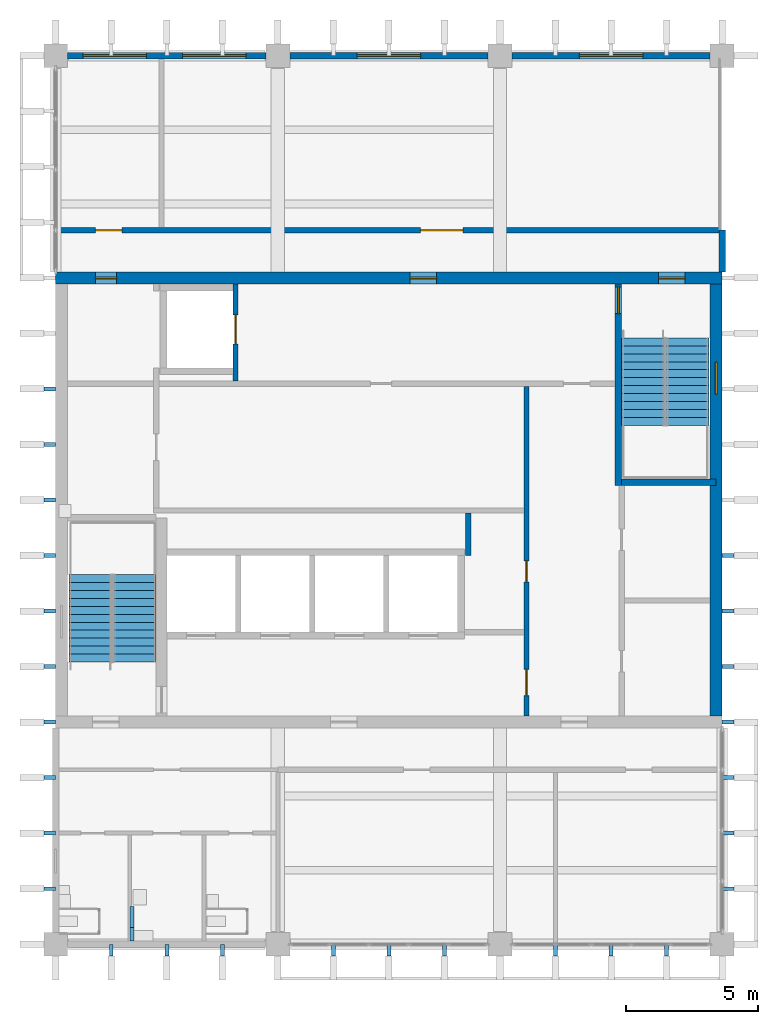
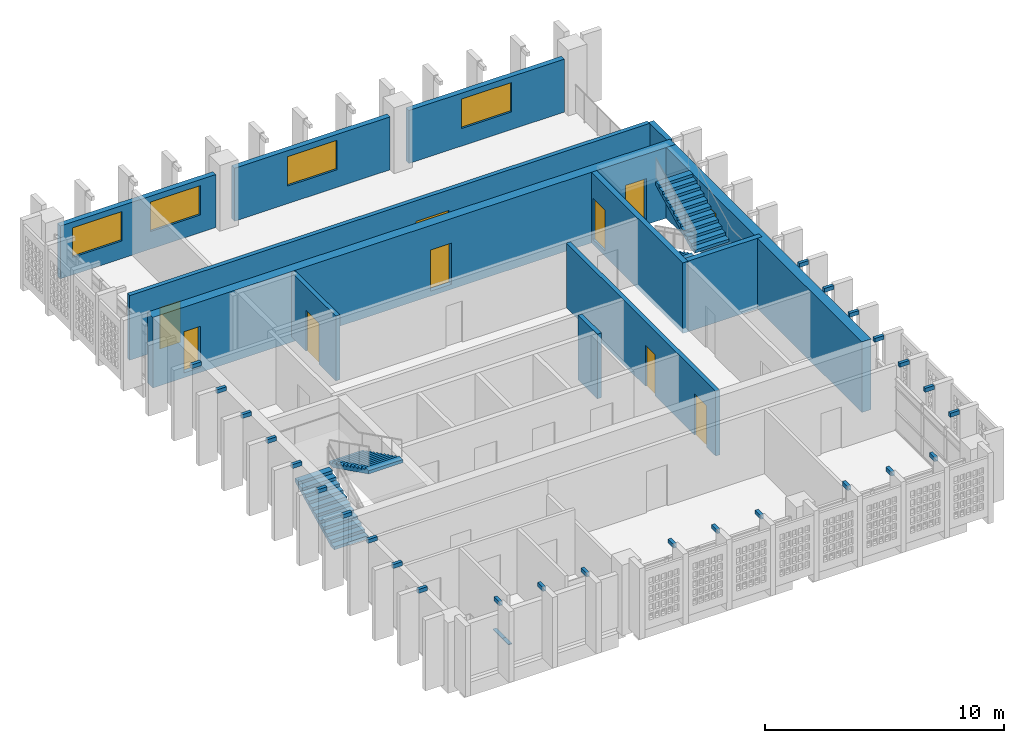
# One storey, part 6 of 13: 28 discrete accessories, 12 walls, 9 doors, 5 windows, 4 stair flights, 14 openings, 2 elements without a shape of their own.
"""IFC4 building model written with IfcOpenShell, lengths in metres."""

from ifc_helpers import new_model, si_unit, direction, frame, frame_2d, origin, origin_2d, place, context, subcontext, project, spatial, polyline, rectangle, outline, extrude, material, layer, layer_set, type_object, element, fill, aggregate, save


model = new_model("IFC4")

# Units and contexts
model_context = context("Model", 3, precision=1e-05, world=origin(), true_north=direction((0.0, 1.0)))
body_context = subcontext(model_context, "Body", "Model", "MODEL_VIEW")
ifc_project = project(units=[si_unit("LENGTHUNIT", "METRE"), si_unit("AREAUNIT", "SQUARE_METRE"), si_unit("VOLUMEUNIT", "CUBIC_METRE"), si_unit("PLANEANGLEUNIT", "RADIAN"), si_unit("MASSUNIT", "GRAM", prefix="KILO")], contexts=[model_context])

# Site, building, storey
site_placement = place(None, origin())
site = spatial("IfcSite", under=ifc_project, at=site_placement, CompositionType="ELEMENT")
building_placement = place(site_placement, origin())
building = spatial("IfcBuilding", under=site, at=building_placement, Name="Rulbaag Community and Learning Centre", CompositionType="ELEMENT")
storey_placement = place(building_placement, frame((0.0, 0.0, 25.199951171875)))
storey = spatial("IfcBuildingStorey", under=building, at=storey_placement, Name="L06", CompositionType="ELEMENT", Elevation=25.199951171875)

# Wall, openings, windows
ifc_material_1 = material(Name="Concrete M40", Category="concrete")
ifc_layer_1 = layer(ifc_material_1, 0.25)
ifc_layer_set_1 = layer_set([ifc_layer_1], Name="EW-CONC250")
wall_type_1 = type_object("IfcWallType", Name="EW-CONC250", PredefinedType="STANDARD", material=ifc_layer_set_1)
wall_1_placement = place(storey_placement, frame((143.25, 117.60009765625, 0.0), z_axis=(0.0, 0.0, 1.0), x_axis=(1.0, 0.0, 0.0)))
wall_1 = element("IfcWall", 1, at=wall_1_placement, inside=storey, type_object=wall_type_1, Name="Board-marked concrete cladding wall BN", PredefinedType="STANDARD", context=body_context, shape_type="SweptSolid", body=[
    extrude(rectangle(XDim=7.5, YDim=0.25, at=frame_2d((3.75, 0.0))), origin(), (0.0, 0.0, 1.0), 2.699951171875),
])
opening_1_placement = place(wall_1_placement, frame((0.574951171875, 0.0, 0.89990234375)))
opening_1 = element("IfcOpeningElement", 2, at=opening_1_placement, cuts=wall_1, Name="Opening WN17", PredefinedType="OPENING", context=body_context, shape_type="SweptSolid", body=[
    extrude(rectangle(XDim=2.39990234375, YDim=1.5, at=frame_2d((1.199951171875, 0.75))), frame((0.0, 0.135009765625, 0.0), z_axis=(0.0, -1.0, 0.0), x_axis=(1.0, 0.0, 0.0)), (0.0, 0.0, 1.0), 0.27001953125),
])
opening_2_placement = place(wall_1_placement, frame((4.35009765625, 0.0, 0.89990234375)))
opening_2 = element("IfcOpeningElement", 3, at=opening_2_placement, cuts=wall_1, Name="Opening WN15", PredefinedType="OPENING", context=body_context, shape_type="SweptSolid", body=[
    extrude(rectangle(XDim=2.39990234375, YDim=1.5, at=frame_2d((1.199951171875, 0.75))), frame((0.0, 0.135009765625, 0.0), z_axis=(0.0, -1.0, 0.0), x_axis=(1.0, 0.0, 0.0)), (0.0, 0.0, 1.0), 0.27001953125),
])
ifc_material_2 = material(Name="Aluminium", Category="aluminium")
window_type_1 = type_object("IfcWindowType", Name="WN-24", PartitioningType="DOUBLE_PANEL_VERTICAL", PredefinedType="WINDOW", material=ifc_material_2)
window_1_placement = place(opening_1_placement, origin())
window_1 = element("IfcWindow", 4, at=window_1_placement, inside=storey, type_object=window_type_1, Name="Window WN17", OverallHeight=1.5, OverallWidth=2.39990234375, PartitioningType="SINGLE_PANEL", PredefinedType="WINDOW", context=body_context, shape_type="SweptSolid", body=[
    extrude(rectangle(XDim=2.39990234375, YDim=1.5, at=frame_2d((1.199951171875, 0.75))), frame((0.0, 0.030029296875, 0.0), z_axis=(0.0, -1.0, 0.0), x_axis=(1.0, 0.0, 0.0)), (0.0, 0.0, 1.0), 0.06005859375),
])
fill(opening_1, window_1)
window_type_2 = type_object("IfcWindowType", Name="WR-24", PartitioningType="DOUBLE_PANEL_VERTICAL", PredefinedType="WINDOW", material=ifc_material_2)
window_2_placement = place(opening_2_placement, origin())
window_2 = element("IfcWindow", 5, at=window_2_placement, inside=storey, type_object=window_type_2, Name="Window WN15", OverallHeight=1.5, OverallWidth=2.39990234375, PartitioningType="SINGLE_PANEL", PredefinedType="WINDOW", context=body_context, shape_type="SweptSolid", body=[
    extrude(rectangle(XDim=2.39990234375, YDim=1.5, at=frame_2d((1.199951171875, 0.75))), frame((0.0, 0.030029296875, 0.0), z_axis=(0.0, -1.0, 0.0), x_axis=(1.0, 0.0, 0.0)), (0.0, 0.0, 1.0), 0.06005859375),
])
fill(opening_2, window_2)

# Wall, opening, window
wall_2_placement = place(storey_placement, frame((151.64990234375, 117.60009765625, 0.0), z_axis=(0.0, 0.0, 1.0), x_axis=(1.0, 0.0, 0.0)))
wall_2 = element("IfcWall", 6, at=wall_2_placement, inside=storey, type_object=wall_type_1, Name="Board-marked concrete cladding wall BN", PredefinedType="STANDARD", context=body_context, shape_type="SweptSolid", body=[
    extrude(rectangle(XDim=7.5, YDim=0.25, at=frame_2d((3.75, 0.0))), origin(), (0.0, 0.0, 1.0), 2.699951171875),
])
opening_3_placement = place(wall_2_placement, frame((2.550048828125, 0.0, 0.89990234375)))
opening_3 = element("IfcOpeningElement", 7, at=opening_3_placement, cuts=wall_2, Name="Opening WN15", PredefinedType="OPENING", context=body_context, shape_type="SweptSolid", body=[
    extrude(rectangle(XDim=2.39990234375, YDim=1.5, at=frame_2d((1.199951171875, 0.75))), frame((0.0, 0.135009765625, 0.0), z_axis=(0.0, -1.0, 0.0), x_axis=(1.0, 0.0, 0.0)), (0.0, 0.0, 1.0), 0.27001953125),
])
window_3_placement = place(opening_3_placement, origin())
window_3 = element("IfcWindow", 8, at=window_3_placement, inside=storey, type_object=window_type_2, Name="Window WN15", OverallHeight=1.5, OverallWidth=2.39990234375, PartitioningType="SINGLE_PANEL", PredefinedType="WINDOW", context=body_context, shape_type="SweptSolid", body=[
    extrude(rectangle(XDim=2.39990234375, YDim=1.5, at=frame_2d((1.199951171875, 0.75))), frame((0.0, 0.030029296875, 0.0), z_axis=(0.0, -1.0, 0.0), x_axis=(1.0, 0.0, 0.0)), (0.0, 0.0, 1.0), 0.06005859375),
])
fill(opening_3, window_3)

wall_3_placement = place(storey_placement, frame((160.050048828125, 117.60009765625, 0.0), z_axis=(0.0, 0.0, 1.0), x_axis=(1.0, 0.0, 0.0)))
wall_3 = element("IfcWall", 9, at=wall_3_placement, inside=storey, type_object=wall_type_1, Name="Board-marked concrete cladding wall BN", PredefinedType="STANDARD", context=body_context, shape_type="SweptSolid", body=[
    extrude(rectangle(XDim=7.5, YDim=0.25, at=frame_2d((3.75, 0.0))), origin(), (0.0, 0.0, 1.0), 2.699951171875),
])
opening_4_placement = place(wall_3_placement, frame((2.550048828125, 0.0, 0.89990234375)))
opening_4 = element("IfcOpeningElement", 10, at=opening_4_placement, cuts=wall_3, Name="Opening WN15", PredefinedType="OPENING", context=body_context, shape_type="SweptSolid", body=[
    extrude(rectangle(XDim=2.39990234375, YDim=1.5, at=frame_2d((1.199951171875, 0.75))), frame((0.0, 0.135009765625, 0.0), z_axis=(0.0, -1.0, 0.0), x_axis=(1.0, 0.0, 0.0)), (0.0, 0.0, 1.0), 0.27001953125),
])
window_4_placement = place(opening_4_placement, origin())
window_4 = element("IfcWindow", 11, at=window_4_placement, inside=storey, type_object=window_type_2, Name="Window WN15", OverallHeight=1.5, OverallWidth=2.39990234375, PartitioningType="SINGLE_PANEL", PredefinedType="WINDOW", context=body_context, shape_type="SweptSolid", body=[
    extrude(rectangle(XDim=2.39990234375, YDim=1.5, at=frame_2d((1.199951171875, 0.75))), frame((0.0, 0.030029296875, 0.0), z_axis=(0.0, -1.0, 0.0), x_axis=(1.0, 0.0, 0.0)), (0.0, 0.0, 1.0), 0.06005859375),
])
fill(opening_4, window_4)

# Wall
wall_4_placement = place(storey_placement, frame((168.0, 109.425048828125, 0.0), z_axis=(0.0, 0.0, 1.0), x_axis=(0.0, 1.0, 0.0)))
element("IfcWall", 12, at=wall_4_placement, inside=storey, type_object=wall_type_1, Name="Board-marked concrete cladding wall BE", PredefinedType="STANDARD", context=body_context, shape_type="SweptSolid", body=[
    extrude(rectangle(XDim=1.574951171875, YDim=0.25, at=frame_2d((0.78759765625, 0.0))), origin(), (0.0, 0.0, 1.0), 3.300048828125),
])

# Wall, openings, doors
ifc_material_3 = material(Name="Concrete blockwork", Category="masonry")
ifc_layer_2 = layer(ifc_material_3, 0.199951171875)
ifc_layer_set_2 = layer_set([ifc_layer_2], Name="FW-200 FIRE WALL 200")
wall_type_2 = type_object("IfcWallType", Name="FW-200 FIRE WALL 200", PredefinedType="SOLIDWALL", material=ifc_layer_set_2)
wall_5_placement = place(storey_placement, frame((142.800048828125, 111.0, 0.0), z_axis=(0.0, 0.0, 1.0), x_axis=(1.0, 0.0, 0.0)))
wall_5 = element("IfcWall", 13, at=wall_5_placement, inside=storey, type_object=wall_type_2, Name="Fire wall L06 10", PredefinedType="SOLIDWALL", context=body_context, shape_type="SweptSolid", body=[
    extrude(rectangle(XDim=25.074951171875, YDim=0.199951171875, at=frame_2d((12.53759765625, 0.0))), origin(), (0.0, 0.0, 1.0), 3.300048828125),
])
opening_5_placement = place(wall_5_placement, frame((1.5, 0.0, 0.0)))
opening_5 = element("IfcOpeningElement", 14, at=opening_5_placement, cuts=wall_5, Name="Opening L06-D005", PredefinedType="OPENING", context=body_context, shape_type="SweptSolid", body=[
    extrude(rectangle(XDim=1.0, YDim=2.10009765625, at=frame_2d((0.5, 1.050048828125))), frame((0.0, 0.10986328125, 0.0), z_axis=(0.0, -1.0, 0.0), x_axis=(1.0, 0.0, 0.0)), (0.0, 0.0, 1.0), 0.219970703125),
])
opening_6_placement = place(wall_5_placement, frame((13.800048828125, 0.0, 0.0)))
opening_6 = element("IfcOpeningElement", 15, at=opening_6_placement, cuts=wall_5, Name="Opening L06-D021", PredefinedType="OPENING", context=body_context, shape_type="SweptSolid", body=[
    extrude(rectangle(XDim=1.60009765625, YDim=2.25, at=frame_2d((0.800048828125, 1.125))), frame((0.0, 0.10986328125, 0.0), z_axis=(0.0, -1.0, 0.0), x_axis=(1.0, 0.0, 0.0)), (0.0, 0.0, 1.0), 0.219970703125),
])
ifc_material_4 = material(Name="Galvanised steel", Category="steel")
door_type_1 = type_object("IfcDoorType", Name="FD-1000 FIRE DOOR 1000 x 2100", OperationType="SINGLE_SWING_LEFT", PredefinedType="DOOR", material=ifc_material_4)
door_1_placement = place(opening_5_placement, origin())
door_1 = element("IfcDoor", 16, at=door_1_placement, inside=storey, type_object=door_type_1, Name="Door L06-D005", OperationType="SINGLE_SWING_RIGHT", OverallHeight=2.10009765625, OverallWidth=1.0, PredefinedType="DOOR", context=body_context, shape_type="SweptSolid", body=[
    extrude(rectangle(XDim=1.0, YDim=2.10009765625, at=frame_2d((0.5, 1.050048828125))), frame((0.0, 0.02490234375, 0.0), z_axis=(0.0, -1.0, 0.0), x_axis=(1.0, 0.0, 0.0)), (0.0, 0.0, 1.0), 0.050048828125),
])
fill(opening_5, door_1)
ifc_material_5 = material(Name="Timber", Category="wood")
door_type_2 = type_object("IfcDoorType", Name="FD-1600 REFUGE AREA DOUBLE FIRE DOOR 1600 x 2250", OperationType="DOUBLE_DOOR_SINGLE_SWING", PredefinedType="DOOR", material=ifc_material_5)
door_2_placement = place(opening_6_placement, origin())
door_2 = element("IfcDoor", 17, at=door_2_placement, inside=storey, type_object=door_type_2, Name="Door L06-D021", OperationType="DOUBLE_DOOR_SINGLE_SWING", OverallHeight=2.25, OverallWidth=1.60009765625, PredefinedType="DOOR", context=body_context, shape_type="SweptSolid", body=[
    extrude(rectangle(XDim=1.60009765625, YDim=2.25, at=frame_2d((0.800048828125, 1.125))), frame((0.0, 0.02490234375, 0.0), z_axis=(0.0, -1.0, 0.0), x_axis=(1.0, 0.0, 0.0)), (0.0, 0.0, 1.0), 0.050048828125),
])
fill(opening_6, door_2)

# Wall, opening, door
wall_6_placement = place(storey_placement, frame((149.60009765625, 105.300048828125, 0.0), z_axis=(0.0, 0.0, 1.0), x_axis=(0.0, 1.0, 0.0)))
wall_6 = element("IfcWall", 18, at=wall_6_placement, inside=storey, type_object=wall_type_2, Name="Fire wall L06 16", PredefinedType="SOLIDWALL", context=body_context, shape_type="SweptSolid", body=[
    extrude(rectangle(XDim=3.675048828125, YDim=0.199951171875, at=frame_2d((1.83740234375, 0.0))), origin(), (0.0, 0.0, 1.0), 3.300048828125),
])
opening_7_placement = place(wall_6_placement, frame((1.39990234375, 0.0, 0.0)))
opening_7 = element("IfcOpeningElement", 19, at=opening_7_placement, cuts=wall_6, Name="Opening L06-D011", PredefinedType="OPENING", context=body_context, shape_type="SweptSolid", body=[
    extrude(rectangle(XDim=1.10009765625, YDim=2.10009765625, at=frame_2d((0.550048828125, 1.050048828125))), frame((0.0, 0.10986328125, 0.0), z_axis=(0.0, -1.0, 0.0), x_axis=(1.0, 0.0, 0.0)), (0.0, 0.0, 1.0), 0.219970703125),
])
ifc_material_6 = material(Name="Stainless steel grade 304", Category="steel")
door_type_3 = type_object("IfcDoorType", Name="LD-1100 LIFT LANDING DOOR 1100 x 2100", OperationType="SLIDING_TO_LEFT", PredefinedType="DOOR", material=ifc_material_6)
door_3_placement = place(opening_7_placement, origin())
door_3 = element("IfcDoor", 20, at=door_3_placement, inside=storey, type_object=door_type_3, Name="Lift landing door LF1 L06", OperationType="SLIDING_TO_LEFT", OverallHeight=2.10009765625, OverallWidth=1.10009765625, PredefinedType="DOOR", context=body_context, shape_type="SweptSolid", body=[
    extrude(rectangle(XDim=1.10009765625, YDim=2.10009765625, at=frame_2d((0.550048828125, 1.050048828125))), frame((0.0, 0.02490234375, 0.0), z_axis=(0.0, -1.0, 0.0), x_axis=(1.0, 0.0, 0.0)), (0.0, 0.0, 1.0), 0.050048828125),
])
fill(opening_7, door_3)

# Wall
wall_7_placement = place(storey_placement, frame((158.39990234375, 98.699951171875, 0.0), z_axis=(0.0, 0.0, 1.0), x_axis=(0.0, 1.0, 0.0)))
element("IfcWall", 21, at=wall_7_placement, inside=storey, type_object=wall_type_2, Name="Fire wall L06 18", PredefinedType="SOLIDWALL", context=body_context, shape_type="SweptSolid", body=[
    extrude(rectangle(XDim=1.60009765625, YDim=0.199951171875, at=frame_2d((0.800048828125, 0.0))), origin(), (0.0, 0.0, 1.0), 3.300048828125),
])

# Wall, openings, doors
wall_8_placement = place(storey_placement, frame((160.60009765625, 92.625, 0.0), z_axis=(0.0, 0.0, 1.0), x_axis=(0.0, 1.0, 0.0)))
wall_8 = element("IfcWall", 22, at=wall_8_placement, inside=storey, type_object=wall_type_2, Name="Fire wall L06 19", PredefinedType="SOLIDWALL", context=body_context, shape_type="SweptSolid", body=[
    extrude(rectangle(XDim=12.47509765625, YDim=0.199951171875, at=frame_2d((6.237548828125, 0.0))), origin(), (0.0, 0.0, 1.0), 3.300048828125),
])
opening_8_placement = place(wall_8_placement, frame((5.074951171875, 0.0, 0.0)))
opening_8 = element("IfcOpeningElement", 23, at=opening_8_placement, cuts=wall_8, Name="Opening L06-D023", PredefinedType="OPENING", context=body_context, shape_type="SweptSolid", body=[
    extrude(rectangle(XDim=0.800048828125, YDim=2.10009765625, at=frame_2d((0.39990234375, 1.050048828125))), frame((0.0, 0.10986328125, 0.0), z_axis=(0.0, -1.0, 0.0), x_axis=(1.0, 0.0, 0.0)), (0.0, 0.0, 1.0), 0.219970703125),
])
opening_9_placement = place(wall_8_placement, frame((0.77490234375, 0.0, 0.0)))
opening_9 = element("IfcOpeningElement", 24, at=opening_9_placement, cuts=wall_8, Name="Opening L06-D022", PredefinedType="OPENING", context=body_context, shape_type="SweptSolid", body=[
    extrude(rectangle(XDim=1.0, YDim=2.10009765625, at=frame_2d((0.5, 1.050048828125))), frame((0.0, 0.10986328125, 0.0), z_axis=(0.0, -1.0, 0.0), x_axis=(1.0, 0.0, 0.0)), (0.0, 0.0, 1.0), 0.219970703125),
])
door_4_placement = place(opening_9_placement, origin())
door_4 = element("IfcDoor", 25, at=door_4_placement, inside=storey, type_object=door_type_1, Name="Door L06-D022", OperationType="SINGLE_SWING_LEFT", OverallHeight=2.10009765625, OverallWidth=1.0, PredefinedType="DOOR", context=body_context, shape_type="SweptSolid", body=[
    extrude(rectangle(XDim=1.0, YDim=2.10009765625, at=frame_2d((0.5, 1.050048828125))), frame((0.0, 0.02490234375, 0.0), z_axis=(0.0, -1.0, 0.0), x_axis=(1.0, 0.0, 0.0)), (0.0, 0.0, 1.0), 0.050048828125),
])
fill(opening_9, door_4)
door_type_4 = type_object("IfcDoorType", Name="FDR-800 RISER FIRE DOOR 800 x 2100", OperationType="SINGLE_SWING_LEFT", PredefinedType="DOOR", material=ifc_material_4)
door_5_placement = place(opening_8_placement, origin())
door_5 = element("IfcDoor", 26, at=door_5_placement, inside=storey, type_object=door_type_4, Name="Riser door L06-D019", OperationType="SINGLE_SWING_RIGHT", OverallHeight=2.10009765625, OverallWidth=0.800048828125, PredefinedType="DOOR", context=body_context, shape_type="SweptSolid", body=[
    extrude(rectangle(XDim=0.800048828125, YDim=2.10009765625, at=frame_2d((0.39990234375, 1.050048828125))), frame((0.0, 0.02490234375, 0.0), z_axis=(0.0, -1.0, 0.0), x_axis=(1.0, 0.0, 0.0)), (0.0, 0.0, 1.0), 0.050048828125),
])
fill(opening_8, door_5)

ifc_material_7 = material(Name="Concrete M60", Category="concrete")
ifc_layer_3 = layer(ifc_material_7, 0.449951171875)
ifc_layer_set_3 = layer_set([ifc_layer_3], Name="W1 Core wall 450 Concrete M60")
wall_type_3 = type_object("IfcWallType", Name="W1 Core wall 450 Concrete M60", PredefinedType="SHEAR", material=ifc_layer_set_3)
wall_9_placement = place(storey_placement, frame((142.800048828125, 109.199951171875, -0.25), z_axis=(0.0, 0.0, 1.0), x_axis=(1.0, 0.0, 0.0)))
wall_9 = element("IfcWall", 27, at=wall_9_placement, inside=storey, type_object=wall_type_3, Name="WL-CORE-N-L06", PredefinedType="SHEAR", context=body_context, shape_type="SweptSolid", body=[
    extrude(rectangle(XDim=25.199951171875, YDim=0.449951171875, at=frame_2d((12.60009765625, 0.0))), origin(), (0.0, 0.0, 1.0), 3.60009765625),
])
opening_10_placement = place(wall_9_placement, frame((22.800048828125, 0.0, 0.25)))
opening_10 = element("IfcOpeningElement", 28, at=opening_10_placement, cuts=wall_9, Name="Opening L06-D030", PredefinedType="OPENING", context=body_context, shape_type="SweptSolid", body=[
    extrude(rectangle(XDim=1.0, YDim=2.10009765625, at=frame_2d((0.5, 1.050048828125))), frame((0.0, 0.23486328125, 0.0), z_axis=(0.0, -1.0, 0.0), x_axis=(1.0, 0.0, 0.0)), (0.0, 0.0, 1.0), 0.469970703125),
])
opening_11_placement = place(wall_9_placement, frame((1.5, 0.0, 0.25)))
opening_11 = element("IfcOpeningElement", 29, at=opening_11_placement, cuts=wall_9, Name="Opening L06-D004", PredefinedType="OPENING", context=body_context, shape_type="SweptSolid", body=[
    extrude(rectangle(XDim=0.800048828125, YDim=2.10009765625, at=frame_2d((0.39990234375, 1.050048828125))), frame((0.0, 0.23486328125, 0.0), z_axis=(0.0, -1.0, 0.0), x_axis=(1.0, 0.0, 0.0)), (0.0, 0.0, 1.0), 0.469970703125),
])
opening_12_placement = place(wall_9_placement, frame((13.39990234375, 0.0, 0.25)))
opening_12 = element("IfcOpeningElement", 30, at=opening_12_placement, cuts=wall_9, Name="Opening L06-D020", PredefinedType="OPENING", context=body_context, shape_type="SweptSolid", body=[
    extrude(rectangle(XDim=1.0, YDim=2.10009765625, at=frame_2d((0.5, 1.050048828125))), frame((0.0, 0.23486328125, 0.0), z_axis=(0.0, -1.0, 0.0), x_axis=(1.0, 0.0, 0.0)), (0.0, 0.0, 1.0), 0.469970703125),
])
door_6_placement = place(opening_10_placement, origin())
door_6 = element("IfcDoor", 31, at=door_6_placement, inside=storey, type_object=door_type_1, Name="Door L06-D030", OperationType="SINGLE_SWING_LEFT", OverallHeight=2.10009765625, OverallWidth=1.0, PredefinedType="DOOR", context=body_context, shape_type="SweptSolid", body=[
    extrude(rectangle(XDim=1.0, YDim=2.10009765625, at=frame_2d((0.5, 1.050048828125))), frame((0.0, 0.02490234375, 0.0), z_axis=(0.0, -1.0, 0.0), x_axis=(1.0, 0.0, 0.0)), (0.0, 0.0, 1.0), 0.050048828125),
])
fill(opening_10, door_6)
door_7_placement = place(opening_12_placement, origin())
door_7 = element("IfcDoor", 32, at=door_7_placement, inside=storey, type_object=door_type_1, Name="Door L06-D020", OperationType="SINGLE_SWING_LEFT", OverallHeight=2.10009765625, OverallWidth=1.0, PredefinedType="DOOR", context=body_context, shape_type="SweptSolid", body=[
    extrude(rectangle(XDim=1.0, YDim=2.10009765625, at=frame_2d((0.5, 1.050048828125))), frame((0.0, 0.02490234375, 0.0), z_axis=(0.0, -1.0, 0.0), x_axis=(1.0, 0.0, 0.0)), (0.0, 0.0, 1.0), 0.050048828125),
])
fill(opening_12, door_7)
door_8_placement = place(opening_11_placement, origin())
door_8 = element("IfcDoor", 33, at=door_8_placement, inside=storey, type_object=door_type_4, Name="Riser door L06-D022", OperationType="SINGLE_SWING_LEFT", OverallHeight=2.10009765625, OverallWidth=0.800048828125, PredefinedType="DOOR", context=body_context, shape_type="SweptSolid", body=[
    extrude(rectangle(XDim=0.800048828125, YDim=2.10009765625, at=frame_2d((0.39990234375, 1.050048828125))), frame((0.0, 0.02490234375, 0.0), z_axis=(0.0, -1.0, 0.0), x_axis=(1.0, 0.0, 0.0)), (0.0, 0.0, 1.0), 0.050048828125),
])
fill(opening_11, door_8)

# Wall, opening, window
wall_10_placement = place(storey_placement, frame((167.77490234375, 92.625, -0.25), z_axis=(0.0, 0.0, 1.0), x_axis=(0.0, 1.0, 0.0)))
wall_10 = element("IfcWall", 34, at=wall_10_placement, inside=storey, type_object=wall_type_3, Name="WL-CORE-E-L06", PredefinedType="SHEAR", context=body_context, shape_type="SweptSolid", body=[
    extrude(rectangle(XDim=16.35009765625, YDim=0.449951171875, at=frame_2d((8.175048828125, 0.0))), origin(), (0.0, 0.0, 1.0), 3.60009765625),
])
opening_13_placement = place(wall_10_placement, frame((12.175048828125, 0.0, 1.85009765625)))
opening_13 = element("IfcOpeningElement", 35, at=opening_13_placement, cuts=wall_10, Name="Opening WN19", PredefinedType="OPENING", context=body_context, shape_type="SweptSolid", body=[
    extrude(rectangle(XDim=1.199951171875, YDim=0.89990234375, at=frame_2d((0.60009765625, 0.449951171875))), frame((0.0, 0.23486328125, 0.0), z_axis=(0.0, -1.0, 0.0), x_axis=(1.0, 0.0, 0.0)), (0.0, 0.0, 1.0), 0.469970703125),
])
window_type_3 = type_object("IfcWindowType", Name="WS-12", PartitioningType="SINGLE_PANEL", PredefinedType="WINDOW", material=ifc_material_2)
window_5_placement = place(opening_13_placement, origin())
window_5 = element("IfcWindow", 36, at=window_5_placement, inside=storey, type_object=window_type_3, Name="Stair window", OverallHeight=0.89990234375, OverallWidth=1.199951171875, PartitioningType="SINGLE_PANEL", PredefinedType="WINDOW", context=body_context, shape_type="SweptSolid", body=[
    extrude(rectangle(XDim=1.199951171875, YDim=0.89990234375, at=frame_2d((0.60009765625, 0.449951171875))), frame((0.0, 0.030029296875, 0.0), z_axis=(0.0, -1.0, 0.0), x_axis=(1.0, 0.0, 0.0)), (0.0, 0.0, 1.0), 0.06005859375),
])
fill(opening_13, window_5)

# Wall, opening, door
ifc_layer_4 = layer(ifc_material_1, 0.25)
ifc_layer_set_4 = layer_set([ifc_layer_4], Name="W5 Shaft wall 250 Concrete M40")
wall_type_4 = type_object("IfcWallType", Name="W5 Shaft wall 250 Concrete M40", PredefinedType="SHEAR", material=ifc_layer_set_4)
wall_11_placement = place(storey_placement, frame((164.074951171875, 101.35009765625, -0.25), z_axis=(0.0, 0.0, 1.0), x_axis=(0.0, 1.0, 0.0)))
wall_11 = element("IfcWall", 37, at=wall_11_placement, inside=storey, type_object=wall_type_4, Name="WL-ST2-W-L06", PredefinedType="SHEAR", context=body_context, shape_type="SweptSolid", body=[
    extrude(rectangle(XDim=7.625, YDim=0.25, at=frame_2d((3.8125, 0.0))), origin(), (0.0, 0.0, 1.0), 3.60009765625),
])
opening_14_placement = place(wall_11_placement, frame((6.5, 0.0, 0.25)))
opening_14 = element("IfcOpeningElement", 38, at=opening_14_placement, cuts=wall_11, Name="Opening L06-D026", PredefinedType="OPENING", context=body_context, shape_type="SweptSolid", body=[
    extrude(rectangle(XDim=1.0, YDim=2.10009765625, at=frame_2d((0.5, 1.050048828125))), frame((0.0, 0.135009765625, 0.0), z_axis=(0.0, -1.0, 0.0), x_axis=(1.0, 0.0, 0.0)), (0.0, 0.0, 1.0), 0.27001953125),
])
door_9_placement = place(opening_14_placement, origin())
door_9 = element("IfcDoor", 39, at=door_9_placement, inside=storey, type_object=door_type_1, Name="Door L06-D026", OperationType="SINGLE_SWING_LEFT", OverallHeight=2.10009765625, OverallWidth=1.0, PredefinedType="DOOR", context=body_context, shape_type="SweptSolid", body=[
    extrude(rectangle(XDim=1.0, YDim=2.10009765625, at=frame_2d((0.5, 1.050048828125))), frame((0.0, 0.02490234375, 0.0), z_axis=(0.0, -1.0, 0.0), x_axis=(1.0, 0.0, 0.0)), (0.0, 0.0, 1.0), 0.050048828125),
])
fill(opening_14, door_9)

# Wall
wall_12_placement = place(storey_placement, frame((164.199951171875, 101.47509765625, -0.25), z_axis=(0.0, 0.0, 1.0), x_axis=(1.0, 0.0, 0.0)))
element("IfcWall", 40, at=wall_12_placement, inside=storey, type_object=wall_type_4, Name="WL-ST2-S-L06", PredefinedType="SHEAR", context=body_context, shape_type="SweptSolid", body=[
    extrude(rectangle(XDim=3.574951171875, YDim=0.25, at=frame_2d((1.78759765625, 0.0))), origin(), (0.0, 0.0, 1.0), 3.60009765625),
])

# Stair, stair flights
stair_type = type_object("IfcStairType", Name="ST-1650 STAIR 1650 WIDE", PredefinedType="HALF_TURN_STAIR", material=ifc_material_1)
stair_1_placement = place(storey_placement, origin())
stair_1 = element("IfcStair", 41, at=stair_1_placement, inside=storey, type_object=stair_type, Name="Stair ST1 L06", PredefinedType="HALF_TURN_STAIR")
stair_flight_type = type_object("IfcStairFlightType", Name="FL-1650 FLIGHT 1650 WIDE Concrete M40", PredefinedType="STRAIGHT", material=ifc_material_1)
stair_flight_1_placement = place(storey_placement, frame((144.125, 94.675048828125, 0.0), z_axis=(0.0, 0.0, 1.0), x_axis=(0.0, 1.0, 0.0)))
stair_flight_1 = element("IfcStairFlight", 42, at=stair_flight_1_placement, type_object=stair_flight_type, Name="ST1 flight 1", NumberOfRisers=12, NumberOfTreads=11, PredefinedType="STRAIGHT", RiserHeight=0.15, TreadLength=0.3, context=body_context, shape_type="SweptSolid", body=[
    extrude(outline(polyline([(0.0, 0.0), (0.0, 0.14990234375), (0.300048828125, 0.14990234375), (0.300048828125, 0.300048828125), (0.60009765625, 0.300048828125), (0.60009765625, 0.449951171875), (0.89990234375, 0.449951171875), (0.89990234375, 0.60009765625), (1.199951171875, 0.60009765625), (1.199951171875, 0.75), (1.5, 0.75), (1.5, 0.89990234375), (1.800048828125, 0.89990234375), (1.800048828125, 1.050048828125), (2.10009765625, 1.050048828125), (2.10009765625, 1.199951171875), (2.39990234375, 1.199951171875), (2.39990234375, 1.35009765625), (2.699951171875, 1.35009765625), (2.699951171875, 1.5), (3.0, 1.5), (3.0, 1.64990234375), (3.300048828125, 1.64990234375), (3.300048828125, 1.49365234375), (0.312744140625, 0.0), (0.0, 0.0)])), frame((0.0, 0.824951171875, 0.0), z_axis=(0.0, -1.0, 0.0), x_axis=(1.0, 0.0, 0.0)), (0.0, 0.0, 1.0), 1.64990234375),
])
stair_flight_2_placement = place(storey_placement, frame((145.77490234375, 97.97509765625, 1.800048828125), z_axis=(0.0, 0.0, 1.0), x_axis=(0.0, -1.0, 0.0)))
stair_flight_2 = element("IfcStairFlight", 43, at=stair_flight_2_placement, type_object=stair_flight_type, Name="ST1 flight 2", NumberOfRisers=12, NumberOfTreads=11, PredefinedType="STRAIGHT", RiserHeight=0.15, TreadLength=0.3, context=body_context, shape_type="SweptSolid", body=[
    extrude(outline(polyline([(0.0, 0.0), (0.0, 0.14990234375), (0.300048828125, 0.14990234375), (0.300048828125, 0.300048828125), (0.60009765625, 0.300048828125), (0.60009765625, 0.449951171875), (0.89990234375, 0.449951171875), (0.89990234375, 0.60009765625), (1.199951171875, 0.60009765625), (1.199951171875, 0.75), (1.5, 0.75), (1.5, 0.89990234375), (1.800048828125, 0.89990234375), (1.800048828125, 1.050048828125), (2.10009765625, 1.050048828125), (2.10009765625, 1.199951171875), (2.39990234375, 1.199951171875), (2.39990234375, 1.35009765625), (2.699951171875, 1.35009765625), (2.699951171875, 1.5), (3.0, 1.5), (3.0, 1.64990234375), (3.300048828125, 1.64990234375), (3.300048828125, 1.49365234375), (0.312744140625, 0.0), (0.0, 0.0)])), frame((0.0, 0.824951171875, 0.0), z_axis=(0.0, -1.0, 0.0), x_axis=(1.0, 0.0, 0.0)), (0.0, 0.0, 1.0), 1.64990234375),
])
aggregate(stair_1, [stair_flight_1, stair_flight_2])

stair_2_placement = place(storey_placement, origin())
stair_2 = element("IfcStair", 44, at=stair_2_placement, inside=storey, type_object=stair_type, Name="Stair ST2 L06", PredefinedType="HALF_TURN_STAIR")
stair_flight_3_placement = place(storey_placement, frame((165.02490234375, 106.925048828125, 0.0), z_axis=(0.0, 0.0, 1.0), x_axis=(0.0, -1.0, 0.0)))
stair_flight_3 = element("IfcStairFlight", 45, at=stair_flight_3_placement, type_object=stair_flight_type, Name="ST2 flight 1", NumberOfRisers=12, NumberOfTreads=11, PredefinedType="STRAIGHT", RiserHeight=0.15, TreadLength=0.3, context=body_context, shape_type="SweptSolid", body=[
    extrude(outline(polyline([(0.0, 0.0), (0.0, 0.14990234375), (0.300048828125, 0.14990234375), (0.300048828125, 0.300048828125), (0.60009765625, 0.300048828125), (0.60009765625, 0.449951171875), (0.89990234375, 0.449951171875), (0.89990234375, 0.60009765625), (1.199951171875, 0.60009765625), (1.199951171875, 0.75), (1.5, 0.75), (1.5, 0.89990234375), (1.800048828125, 0.89990234375), (1.800048828125, 1.050048828125), (2.10009765625, 1.050048828125), (2.10009765625, 1.199951171875), (2.39990234375, 1.199951171875), (2.39990234375, 1.35009765625), (2.699951171875, 1.35009765625), (2.699951171875, 1.5), (3.0, 1.5), (3.0, 1.64990234375), (3.300048828125, 1.64990234375), (3.300048828125, 1.49365234375), (0.312744140625, 0.0), (0.0, 0.0)])), frame((0.0, 0.824951171875, 0.0), z_axis=(0.0, -1.0, 0.0), x_axis=(1.0, 0.0, 0.0)), (0.0, 0.0, 1.0), 1.64990234375),
])
stair_flight_4_placement = place(storey_placement, frame((166.675048828125, 103.625, 1.800048828125), z_axis=(0.0, 0.0, 1.0), x_axis=(0.0, 1.0, 0.0)))
stair_flight_4 = element("IfcStairFlight", 46, at=stair_flight_4_placement, type_object=stair_flight_type, Name="ST2 flight 2", NumberOfRisers=12, NumberOfTreads=11, PredefinedType="STRAIGHT", RiserHeight=0.15, TreadLength=0.3, context=body_context, shape_type="SweptSolid", body=[
    extrude(outline(polyline([(0.0, 0.0), (0.0, 0.14990234375), (0.300048828125, 0.14990234375), (0.300048828125, 0.300048828125), (0.60009765625, 0.300048828125), (0.60009765625, 0.449951171875), (0.89990234375, 0.449951171875), (0.89990234375, 0.60009765625), (1.199951171875, 0.60009765625), (1.199951171875, 0.75), (1.5, 0.75), (1.5, 0.89990234375), (1.800048828125, 0.89990234375), (1.800048828125, 1.050048828125), (2.10009765625, 1.050048828125), (2.10009765625, 1.199951171875), (2.39990234375, 1.199951171875), (2.39990234375, 1.35009765625), (2.699951171875, 1.35009765625), (2.699951171875, 1.5), (3.0, 1.5), (3.0, 1.64990234375), (3.300048828125, 1.64990234375), (3.300048828125, 1.49365234375), (0.312744140625, 0.0), (0.0, 0.0)])), frame((0.0, 0.824951171875, 0.0), z_axis=(0.0, -1.0, 0.0), x_axis=(1.0, 0.0, 0.0)), (0.0, 0.0, 1.0), 1.64990234375),
])
aggregate(stair_2, [stair_flight_3, stair_flight_4])

# Discrete accessories
ifc_material_8 = material(Name="Steel E350", Category="steel")
discrete_accessory_type_1 = type_object("IfcDiscreteAccessoryType", Name="BR-FN", PredefinedType="BRACKET", material=ifc_material_8)
for number, where, z_axis, x_axis, name in (
    (47, (144.89990234375, 83.77490234375, 3.35009765625), (0.0, 0.0, 1.0), (1.0, 0.0, 0.0), "Fin arm"),
    (48, (147.0, 83.77490234375, 3.35009765625), (0.0, 0.0, 1.0), (1.0, 0.0, 0.0), "Fin arm"),
    (49, (149.10009765625, 83.77490234375, 3.35009765625), (0.0, 0.0, 1.0), (1.0, 0.0, 0.0), "Fin arm"),
    (50, (153.300048828125, 83.77490234375, 3.35009765625), (0.0, 0.0, 1.0), (1.0, 0.0, 0.0), "Fin arm"),
    (51, (155.39990234375, 83.77490234375, 3.35009765625), (0.0, 0.0, 1.0), (1.0, 0.0, 0.0), "Fin arm"),
    (52, (157.5, 83.77490234375, 3.35009765625), (0.0, 0.0, 1.0), (1.0, 0.0, 0.0), "Fin arm"),
    (53, (161.699951171875, 83.77490234375, 3.35009765625), (0.0, 0.0, 1.0), (1.0, 0.0, 0.0), "Fin arm"),
    (54, (163.800048828125, 83.77490234375, 3.35009765625), (0.0, 0.0, 1.0), (1.0, 0.0, 0.0), "Fin arm"),
    (55, (165.89990234375, 83.77490234375, 3.35009765625), (0.0, 0.0, 1.0), (1.0, 0.0, 0.0), "Fin arm"),
):
    element("IfcDiscreteAccessory", number, at=place(storey_placement, frame(where, z_axis=z_axis, x_axis=x_axis)), inside=storey, type_object=discrete_accessory_type_1, Name=name, PredefinedType="BRACKET", context=body_context, shape_type="SweptSolid", body=[
        extrude(rectangle(XDim=0.14990234375, YDim=0.449951171875, at=origin_2d()), origin(), (0.0, 0.0, 1.0), 0.199951171875),
    ])
for number, where, z_axis, x_axis, name in (
    (56, (142.574951171875, 86.10009765625, 3.35009765625), (0.0, 0.0, 1.0), (1.0, 0.0, 0.0), "Fin arm"),
    (57, (142.574951171875, 88.199951171875, 3.35009765625), (0.0, 0.0, 1.0), (1.0, 0.0, 0.0), "Fin arm"),
    (58, (142.574951171875, 90.300048828125, 3.35009765625), (0.0, 0.0, 1.0), (1.0, 0.0, 0.0), "Fin arm"),
    (59, (142.574951171875, 92.39990234375, 3.35009765625), (0.0, 0.0, 1.0), (1.0, 0.0, 0.0), "Fin arm"),
    (60, (142.574951171875, 94.5, 3.35009765625), (0.0, 0.0, 1.0), (1.0, 0.0, 0.0), "Fin arm"),
    (61, (142.574951171875, 96.60009765625, 3.35009765625), (0.0, 0.0, 1.0), (1.0, 0.0, 0.0), "Fin arm"),
    (62, (142.574951171875, 98.699951171875, 3.35009765625), (0.0, 0.0, 1.0), (1.0, 0.0, 0.0), "Fin arm"),
    (63, (142.574951171875, 100.800048828125, 3.35009765625), (0.0, 0.0, 1.0), (1.0, 0.0, 0.0), "Fin arm"),
    (64, (142.574951171875, 102.89990234375, 3.35009765625), (0.0, 0.0, 1.0), (1.0, 0.0, 0.0), "Fin arm"),
    (65, (142.574951171875, 105.0, 3.35009765625), (0.0, 0.0, 1.0), (1.0, 0.0, 0.0), "Fin arm"),
    (66, (168.22509765625, 86.10009765625, 3.35009765625), (0.0, 0.0, 1.0), (1.0, 0.0, 0.0), "Fin arm"),
    (67, (168.22509765625, 88.199951171875, 3.35009765625), (0.0, 0.0, 1.0), (1.0, 0.0, 0.0), "Fin arm"),
    (68, (168.22509765625, 90.300048828125, 3.35009765625), (0.0, 0.0, 1.0), (1.0, 0.0, 0.0), "Fin arm"),
    (69, (168.22509765625, 92.39990234375, 3.35009765625), (0.0, 0.0, 1.0), (1.0, 0.0, 0.0), "Fin arm"),
    (70, (168.22509765625, 94.5, 3.35009765625), (0.0, 0.0, 1.0), (1.0, 0.0, 0.0), "Fin arm"),
    (71, (168.22509765625, 96.60009765625, 3.35009765625), (0.0, 0.0, 1.0), (1.0, 0.0, 0.0), "Fin arm"),
    (72, (168.22509765625, 98.699951171875, 3.35009765625), (0.0, 0.0, 1.0), (1.0, 0.0, 0.0), "Fin arm"),
):
    element("IfcDiscreteAccessory", number, at=place(storey_placement, frame(where, z_axis=z_axis, x_axis=x_axis)), inside=storey, type_object=discrete_accessory_type_1, Name=name, PredefinedType="BRACKET", context=body_context, shape_type="SweptSolid", body=[
        extrude(rectangle(XDim=0.449951171875, YDim=0.14990234375, at=origin_2d()), origin(), (0.0, 0.0, 1.0), 0.199951171875),
    ])
ifc_material_9 = material(Name="Stainless steel grade 316", Category="steel")
discrete_accessory_type_2 = type_object("IfcDiscreteAccessoryType", Name="GR-800", PredefinedType="USERDEFINED", material=ifc_material_9)
for number, where, z_axis, x_axis, name in (
    (73, (145.68505859375, 84.530029296875, 0.72998046875), (0.0, 0.0, 1.0), (1.0, 0.0, 0.0), "Grab rail"),
    (74, (145.68505859375, 85.030029296875, 0.72998046875), (0.0, 0.0, 1.0), (1.0, 0.0, 0.0), "Grab rail"),
):
    element("IfcDiscreteAccessory", number, at=place(storey_placement, frame(where, z_axis=z_axis, x_axis=x_axis)), inside=storey, type_object=discrete_accessory_type_2, Name=name, ObjectType="GRAB RAIL", PredefinedType="USERDEFINED", context=body_context, shape_type="SweptSolid", body=[
        extrude(rectangle(XDim=0.169921875, YDim=0.800048828125, at=origin_2d()), origin(), (0.0, 0.0, 1.0), 0.0400390625),
    ])

save(model, "model.ifc")
